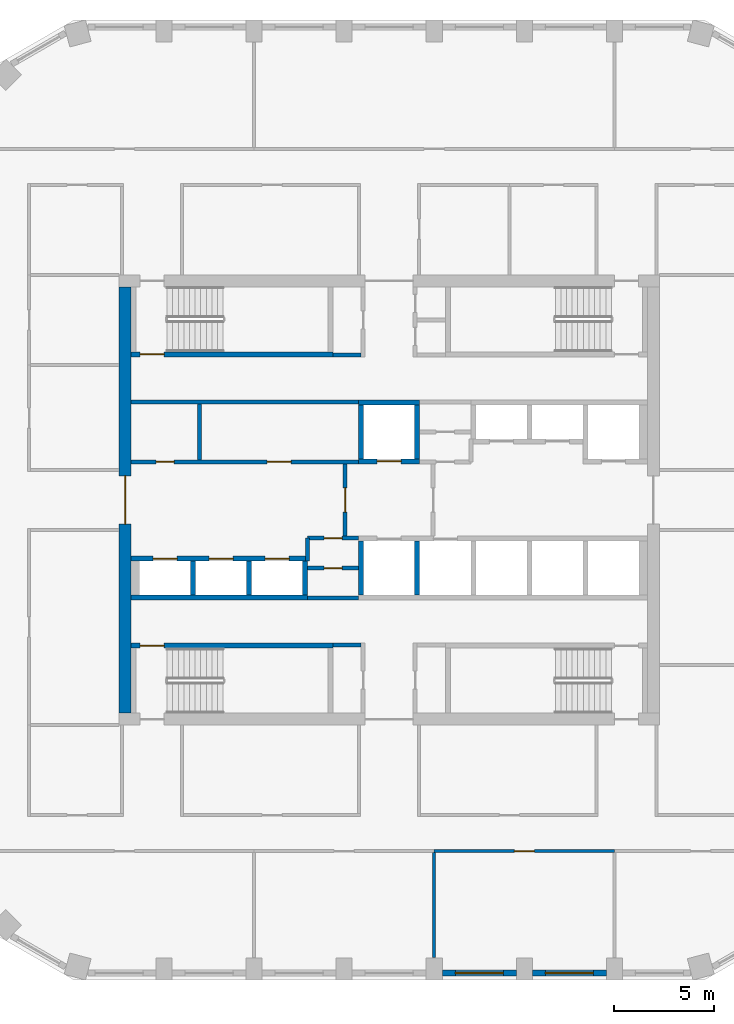
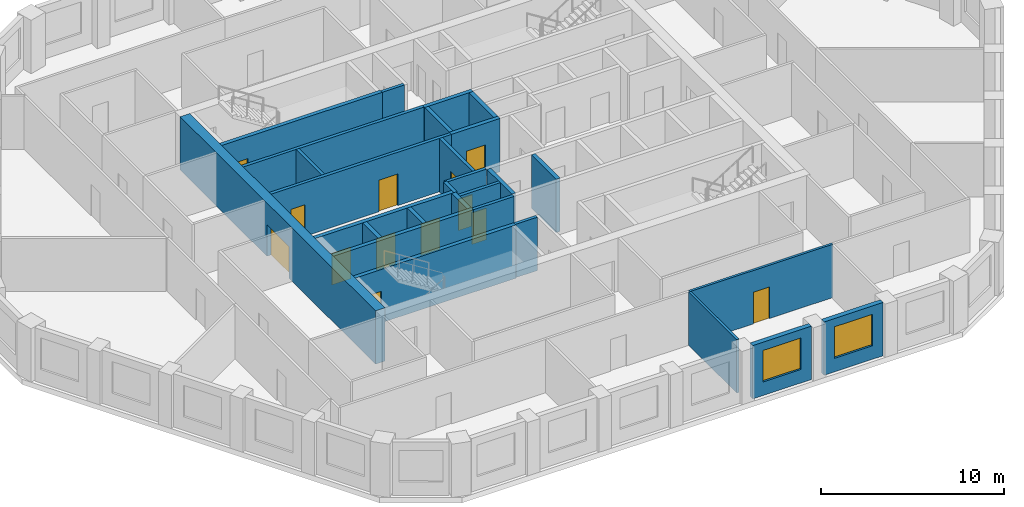
# One storey, part 3 of 9: 28 walls, 13 doors, 2 windows, 15 openings.
"""IFC4 building model written with IfcOpenShell, lengths in metres."""

from ifc_helpers import new_model, si_unit, direction, frame, frame_2d, origin, place, context, subcontext, project, spatial, polyline, rectangle, outline, extrude, material, layer, layer_set, type_object, element, fill, save


model = new_model("IFC4")

# Units and contexts
model_context = context("Model", 3, precision=1e-05, world=origin(), true_north=direction((0.0, 1.0)))
body_context = subcontext(model_context, "Body", "Model", "MODEL_VIEW")
ifc_project = project(units=[si_unit("LENGTHUNIT", "METRE"), si_unit("AREAUNIT", "SQUARE_METRE"), si_unit("VOLUMEUNIT", "CUBIC_METRE"), si_unit("PLANEANGLEUNIT", "RADIAN"), si_unit("MASSUNIT", "GRAM", prefix="KILO")], contexts=[model_context])

# Site, building, storey
site_placement = place(None, origin())
site = spatial("IfcSite", under=ifc_project, at=site_placement, CompositionType="ELEMENT")
building_placement = place(site_placement, origin())
building = spatial("IfcBuilding", under=site, at=building_placement, Name="Dhurran Vertical Campus", CompositionType="ELEMENT")
storey_placement = place(building_placement, frame((0.0, 0.0, 195.60009765625)))
storey = spatial("IfcBuildingStorey", under=building, at=storey_placement, Name="L48", CompositionType="ELEMENT", Elevation=195.60009765625)

# Wall, opening, window
ifc_material_1 = material(Name="Precast concrete C50/60", Category="concrete")
ifc_layer_1 = layer(ifc_material_1, 0.300048828125)
ifc_layer_set_1 = layer_set([ifc_layer_1], Name="Precast concrete C50/60")
wall_type_1 = type_object("IfcWallType", Name="Precast spandrel wall 300", PredefinedType="SOLIDWALL", material=ifc_layer_set_1)
wall_1_placement = place(storey_placement, frame((2.650390625, -23.635498046875, 0.0), z_axis=(0.0, 0.0, 1.0), x_axis=(1.0, 0.0, 0.0)))
wall_1 = element("IfcWall", 1, at=wall_1_placement, inside=storey, type_object=wall_type_1, Name="EW1 L48.04", PredefinedType="SOLIDWALL", context=body_context, shape_type="SweptSolid", body=[
    extrude(rectangle(XDim=3.69921875, YDim=0.300048828125, at=frame_2d((1.849609375, 0.0))), origin(), (0.0, 0.0, 1.0), 3.5498046875),
])
opening_1_placement = place(wall_1_placement, frame((0.6494140625, 0.0, 0.89990234375)))
opening_1 = element("IfcOpeningElement", 2, at=opening_1_placement, cuts=wall_1, Name="Opening WT1", PredefinedType="OPENING", context=body_context, shape_type="SweptSolid", body=[
    extrude(rectangle(XDim=2.39990234375, YDim=2.10009765625, at=frame_2d((1.199951171875, 1.050048828125))), frame((0.0, 0.159912109375, 0.0), z_axis=(0.0, -1.0, 0.0), x_axis=(1.0, 0.0, 0.0)), (0.0, 0.0, 1.0), 0.320068359375),
])
ifc_material_2 = material(Name="Aluminium frame with solar-control glass", Category="aluminium")
window_type = type_object("IfcWindowType", Name="Punched window 2400 x 2100", PartitioningType="SINGLE_PANEL", PredefinedType="WINDOW", material=ifc_material_2)
window_1_placement = place(opening_1_placement, origin())
window_1 = element("IfcWindow", 3, at=window_1_placement, inside=storey, type_object=window_type, Name="WT1 L48.04", OverallHeight=2.10009765625, OverallWidth=2.39990234375, PartitioningType="SINGLE_PANEL", PredefinedType="WINDOW", context=body_context, shape_type="SweptSolid", body=[
    extrude(rectangle(XDim=2.39990234375, YDim=2.10009765625, at=frame_2d((1.199951171875, 1.050048828125))), frame((0.0, 0.030029296875, 0.0), z_axis=(0.0, -1.0, 0.0), x_axis=(1.0, 0.0, 0.0)), (0.0, 0.0, 1.0), 0.06005859375),
])
fill(opening_1, window_1)

wall_2_placement = place(storey_placement, frame((7.150390625, -23.635498046875, 0.0), z_axis=(0.0, 0.0, 1.0), x_axis=(1.0, 0.0, 0.0)))
wall_2 = element("IfcWall", 4, at=wall_2_placement, inside=storey, type_object=wall_type_1, Name="EW1 L48.05", PredefinedType="SOLIDWALL", context=body_context, shape_type="SweptSolid", body=[
    extrude(rectangle(XDim=3.69921875, YDim=0.300048828125, at=frame_2d((1.849609375, 0.0))), origin(), (0.0, 0.0, 1.0), 3.5498046875),
])
opening_2_placement = place(wall_2_placement, frame((0.6494140625, 0.0, 0.89990234375)))
opening_2 = element("IfcOpeningElement", 5, at=opening_2_placement, cuts=wall_2, Name="Opening WT1", PredefinedType="OPENING", context=body_context, shape_type="SweptSolid", body=[
    extrude(rectangle(XDim=2.39990234375, YDim=2.10009765625, at=frame_2d((1.199951171875, 1.050048828125))), frame((0.0, 0.159912109375, 0.0), z_axis=(0.0, -1.0, 0.0), x_axis=(1.0, 0.0, 0.0)), (0.0, 0.0, 1.0), 0.320068359375),
])
window_2_placement = place(opening_2_placement, origin())
window_2 = element("IfcWindow", 6, at=window_2_placement, inside=storey, type_object=window_type, Name="WT1 L48.05", OverallHeight=2.10009765625, OverallWidth=2.39990234375, PartitioningType="SINGLE_PANEL", PredefinedType="WINDOW", context=body_context, shape_type="SweptSolid", body=[
    extrude(rectangle(XDim=2.39990234375, YDim=2.10009765625, at=frame_2d((1.199951171875, 1.050048828125))), frame((0.0, 0.030029296875, 0.0), z_axis=(0.0, -1.0, 0.0), x_axis=(1.0, 0.0, 0.0)), (0.0, 0.0, 1.0), 0.06005859375),
])
fill(opening_2, window_2)

# Wall, opening, door
ifc_material_3 = material(Name="Concrete C50/60", Category="concrete")
ifc_layer_2 = layer(ifc_material_3, 0.60009765625)
ifc_layer_set_2 = layer_set([ifc_layer_2], Name="Concrete C50/60")
wall_type_2 = type_object("IfcWallType", Name="co-CORE-WALL-C2-600", PredefinedType="SHEAR", material=ifc_layer_set_2)
wall_3_placement = place(storey_placement, frame((-13.199951171875, -10.64990234375, 0.0), z_axis=(0.0, 0.0, 1.0), x_axis=(0.0, 1.0, 0.0)))
wall_3 = element("IfcWall", 7, at=wall_3_placement, inside=storey, type_object=wall_type_2, Name="Core wall W L48", PredefinedType="SHEAR", context=body_context, shape_type="SweptSolid", body=[
    extrude(rectangle(XDim=21.2998046875, YDim=0.60009765625, at=frame_2d((10.64990234375, 0.0))), origin(), (0.0, 0.0, 1.0), 3.5498046875),
])
opening_3_placement = place(wall_3_placement, frame((9.449951171875, 0.0, 0.0)))
opening_3 = element("IfcOpeningElement", 8, at=opening_3_placement, cuts=wall_3, Name="Opening CL1", PredefinedType="OPENING", context=body_context, shape_type="SweptSolid", body=[
    extrude(rectangle(XDim=2.39990234375, YDim=2.10009765625, at=frame_2d((1.199951171875, 1.050048828125))), frame((0.0, 0.31005859375, 0.0), z_axis=(0.0, -1.0, 0.0), x_axis=(1.0, 0.0, 0.0)), (0.0, 0.0, 1.0), 0.6201171875),
])
ifc_material_4 = material(Name="Fire-rated glazed door set")
door_type_1 = type_object("IfcDoorType", Name="co-D-LOBBY 2400x2100", OperationType="DOUBLE_DOOR_DOUBLE_SWING", PredefinedType="DOOR", material=ifc_material_4)
door_1_placement = place(opening_3_placement, origin())
door_1 = element("IfcDoor", 9, at=door_1_placement, inside=storey, type_object=door_type_1, Name="Lift lobby door W L48", OperationType="DOUBLE_DOOR_DOUBLE_SWING", OverallHeight=2.10009765625, OverallWidth=2.39990234375, PredefinedType="DOOR", context=body_context, shape_type="SweptSolid", body=[
    extrude(rectangle(XDim=2.39990234375, YDim=2.10009765625, at=frame_2d((1.199951171875, 1.050048828125))), frame((0.0, 0.02490234375, 0.0), z_axis=(0.0, -1.0, 0.0), x_axis=(1.0, 0.0, 0.0)), (0.0, 0.0, 1.0), 0.050048828125),
])
fill(opening_3, door_1)

ifc_material_5 = material(Name="Fire-rated masonry blockwork", Category="masonry")
ifc_layer_3 = layer(ifc_material_5, 0.199951171875)
ifc_layer_set_3 = layer_set([ifc_layer_3], Name="Fire-rated masonry blockwork")
wall_type_3 = type_object("IfcWallType", Name="co-FIRE-PARTITION-200", PredefinedType="PARTITIONING", material=ifc_layer_set_3)
wall_4_placement = place(storey_placement, frame((-2.199951171875, -1.800048828125, 0.0), z_axis=(0.0, 0.0, 1.0), x_axis=(0.0, 1.0, 0.0)))
wall_4 = element("IfcWall", 10, at=wall_4_placement, inside=storey, type_object=wall_type_3, Name="Firefighting lobby wall W L48", PredefinedType="PARTITIONING", context=body_context, shape_type="SweptSolid", body=[
    extrude(rectangle(XDim=3.60009765625, YDim=0.199951171875, at=frame_2d((1.800048828125, 0.0))), origin(), (0.0, 0.0, 1.0), 3.5498046875),
])
opening_4_placement = place(wall_4_placement, frame((1.199951171875, 0.0, 0.0)))
opening_4 = element("IfcOpeningElement", 11, at=opening_4_placement, cuts=wall_4, Name="Opening FL1", PredefinedType="OPENING", context=body_context, shape_type="SweptSolid", body=[
    extrude(rectangle(XDim=1.199951171875, YDim=2.10009765625, at=frame_2d((0.60009765625, 1.050048828125))), frame((0.0, 0.10986328125, 0.0), z_axis=(0.0, -1.0, 0.0), x_axis=(1.0, 0.0, 0.0)), (0.0, 0.0, 1.0), 0.219970703125),
])
ifc_material_6 = material(Name="Fire-rated steel door set", Category="steel")
door_type_2 = type_object("IfcDoorType", Name="co-D-FFLOBBY 1200x2100", OperationType="SINGLE_SWING_LEFT", PredefinedType="DOOR", material=ifc_material_6)
door_2_placement = place(opening_4_placement, origin())
door_2 = element("IfcDoor", 12, at=door_2_placement, inside=storey, type_object=door_type_2, Name="Firefighting lobby door W L48", OperationType="SINGLE_SWING_LEFT", OverallHeight=2.10009765625, OverallWidth=1.199951171875, PredefinedType="DOOR", context=body_context, shape_type="SweptSolid", body=[
    extrude(rectangle(XDim=1.199951171875, YDim=2.10009765625, at=frame_2d((0.60009765625, 1.050048828125))), frame((0.0, 0.02490234375, 0.0), z_axis=(0.0, -1.0, 0.0), x_axis=(1.0, 0.0, 0.0)), (0.0, 0.0, 1.0), 0.050048828125),
])
fill(opening_4, door_2)

# Walls
for number, where, z_axis, x_axis, name in (
    (13, (-2.800048828125, 7.25, 0.0), (0.0, 0.0, 1.0), (1.0, 0.0, 0.0), "Core partition sl-NW-S L48"),
    (14, (-2.800048828125, -7.25, 0.0), (0.0, 0.0, 1.0), (1.0, 0.0, 0.0), "Core partition sl-SW-S L48"),
):
    element("IfcWall", number, at=place(storey_placement, frame(where, z_axis=z_axis, x_axis=x_axis)), inside=storey, type_object=wall_type_3, Name=name, PredefinedType="PARTITIONING", context=body_context, shape_type="SweptSolid", body=[
        extrude(rectangle(XDim=1.400146484375, YDim=0.199951171875, at=frame_2d((0.7001953125, 0.0))), origin(), (0.0, 0.0, 1.0), 3.5498046875),
    ])
wall_5_placement = place(storey_placement, frame((-9.487548828125, 2.0, 0.0), z_axis=(0.0, 0.0, 1.0), x_axis=(0.0, 1.0, 0.0)))
element("IfcWall", 15, at=wall_5_placement, inside=storey, type_object=wall_type_3, Name="Core partition fr-N0-cut0 L48", PredefinedType="PARTITIONING", context=body_context, shape_type="SweptSolid", body=[
    extrude(rectangle(XDim=2.800048828125, YDim=0.199951171875, at=frame_2d((1.39990234375, 0.0))), origin(), (0.0, 0.0, 1.0), 3.5498046875),
])

# Wall, openings, doors
wall_6_placement = place(storey_placement, frame((-12.89990234375, 1.89990234375, 0.0), z_axis=(0.0, 0.0, 1.0), x_axis=(1.0, 0.0, 0.0)))
wall_6 = element("IfcWall", 16, at=wall_6_placement, inside=storey, type_object=wall_type_3, Name="Core partition fr-N0-f L48", PredefinedType="PARTITIONING", context=body_context, shape_type="SweptSolid", body=[
    extrude(rectangle(XDim=11.375, YDim=0.199951171875, at=frame_2d((5.6875, 0.0))), origin(), (0.0, 0.0, 1.0), 3.5498046875),
])
opening_5_placement = place(wall_6_placement, frame((1.25634765625, 0.0, 0.0)))
opening_5 = element("IfcOpeningElement", 17, at=opening_5_placement, cuts=wall_6, Name="Opening T14-C6", PredefinedType="OPENING", context=body_context, shape_type="SweptSolid", body=[
    extrude(rectangle(XDim=0.89990234375, YDim=2.10009765625, at=frame_2d((0.449951171875, 1.050048828125))), frame((0.0, 0.10986328125, 0.0), z_axis=(0.0, -1.0, 0.0), x_axis=(1.0, 0.0, 0.0)), (0.0, 0.0, 1.0), 0.219970703125),
])
opening_6_placement = place(wall_6_placement, frame((6.793701171875, 0.0, 0.0)))
opening_6 = element("IfcOpeningElement", 18, at=opening_6_placement, cuts=wall_6, Name="Opening T14-C7", PredefinedType="OPENING", context=body_context, shape_type="SweptSolid", body=[
    extrude(rectangle(XDim=1.199951171875, YDim=2.10009765625, at=frame_2d((0.60009765625, 1.050048828125))), frame((0.0, 0.10986328125, 0.0), z_axis=(0.0, -1.0, 0.0), x_axis=(1.0, 0.0, 0.0)), (0.0, 0.0, 1.0), 0.219970703125),
])
ifc_material_7 = material(Name="Fire-rated timber door set", Category="wood")
door_type_3 = type_object("IfcDoorType", Name="co-D-ROOM 900x2100", OperationType="SINGLE_SWING_LEFT", PredefinedType="DOOR", material=ifc_material_7)
door_3_placement = place(opening_5_placement, origin())
door_3 = element("IfcDoor", 19, at=door_3_placement, inside=storey, type_object=door_type_3, Name="Housekeeping store door L48", OperationType="SINGLE_SWING_LEFT", OverallHeight=2.10009765625, OverallWidth=0.89990234375, PredefinedType="DOOR", context=body_context, shape_type="SweptSolid", body=[
    extrude(rectangle(XDim=0.89990234375, YDim=2.10009765625, at=frame_2d((0.449951171875, 1.050048828125))), frame((0.0, 0.02490234375, 0.0), z_axis=(0.0, -1.0, 0.0), x_axis=(1.0, 0.0, 0.0)), (0.0, 0.0, 1.0), 0.050048828125),
])
fill(opening_5, door_3)
ifc_material_8 = material(Name="Fire-rated steel door set", Category="steel")
door_type_4 = type_object("IfcDoorType", Name="co-D-ROOM-PASSAGE 1200x2100", OperationType="SINGLE_SWING_RIGHT", PredefinedType="DOOR", material=ifc_material_8)
door_4_placement = place(opening_6_placement, origin())
door_4 = element("IfcDoor", 20, at=door_4_placement, inside=storey, type_object=door_type_4, Name="Store door L48", OperationType="SINGLE_SWING_RIGHT", OverallHeight=2.10009765625, OverallWidth=1.199951171875, PredefinedType="DOOR", context=body_context, shape_type="SweptSolid", body=[
    extrude(rectangle(XDim=1.199951171875, YDim=2.10009765625, at=frame_2d((0.60009765625, 1.050048828125))), frame((0.0, 0.02490234375, 0.0), z_axis=(0.0, -1.0, 0.0), x_axis=(1.0, 0.0, 0.0)), (0.0, 0.0, 1.0), 0.050048828125),
])
fill(opening_6, door_4)

# Wall
wall_7_placement = place(storey_placement, frame((-12.89990234375, 4.89990234375, 0.0), z_axis=(0.0, 0.0, 1.0), x_axis=(1.0, 0.0, 0.0)))
element("IfcWall", 21, at=wall_7_placement, inside=storey, type_object=wall_type_3, Name="Core partition fr-N0-b L48", PredefinedType="PARTITIONING", context=body_context, shape_type="SweptSolid", body=[
    extrude(rectangle(XDim=11.375, YDim=0.199951171875, at=frame_2d((5.6875, 0.0))), origin(), (0.0, 0.0, 1.0), 3.5498046875),
])

# Wall, opening, door
wall_8_placement = place(storey_placement, frame((-4.074951171875, -3.39990234375, 0.0), z_axis=(0.0, 0.0, 1.0), x_axis=(1.0, 0.0, 0.0)))
wall_8 = element("IfcWall", 22, at=wall_8_placement, inside=storey, type_object=wall_type_3, Name="Core partition fr-S0-c L48", PredefinedType="PARTITIONING", context=body_context, shape_type="SweptSolid", body=[
    extrude(rectangle(XDim=2.550048828125, YDim=0.199951171875, at=frame_2d((1.27490234375, 0.0))), origin(), (0.0, 0.0, 1.0), 3.5498046875),
])
opening_7_placement = place(wall_8_placement, frame((0.824951171875, 0.0, 0.0)))
opening_7 = element("IfcOpeningElement", 23, at=opening_7_placement, cuts=wall_8, Name="Opening T14-C10", PredefinedType="OPENING", context=body_context, shape_type="SweptSolid", body=[
    extrude(rectangle(XDim=0.89990234375, YDim=2.10009765625, at=frame_2d((0.449951171875, 1.050048828125))), frame((0.0, 0.10986328125, 0.0), z_axis=(0.0, -1.0, 0.0), x_axis=(1.0, 0.0, 0.0)), (0.0, 0.0, 1.0), 0.219970703125),
])
door_5_placement = place(opening_7_placement, origin())
door_5 = element("IfcDoor", 24, at=door_5_placement, inside=storey, type_object=door_type_3, Name="Store door L48", OperationType="SINGLE_SWING_LEFT", OverallHeight=2.10009765625, OverallWidth=0.89990234375, PredefinedType="DOOR", context=body_context, shape_type="SweptSolid", body=[
    extrude(rectangle(XDim=0.89990234375, YDim=2.10009765625, at=frame_2d((0.449951171875, 1.050048828125))), frame((0.0, 0.02490234375, 0.0), z_axis=(0.0, -1.0, 0.0), x_axis=(1.0, 0.0, 0.0)), (0.0, 0.0, 1.0), 0.050048828125),
])
fill(opening_7, door_5)

wall_9_placement = place(storey_placement, frame((-4.074951171875, -1.89990234375, 0.0), z_axis=(0.0, 0.0, 1.0), x_axis=(1.0, 0.0, 0.0)))
wall_9 = element("IfcWall", 25, at=wall_9_placement, inside=storey, type_object=wall_type_3, Name="Core partition fr-S0-f L48", PredefinedType="PARTITIONING", context=body_context, shape_type="SweptSolid", body=[
    extrude(rectangle(XDim=2.550048828125, YDim=0.199951171875, at=frame_2d((1.27490234375, 0.0))), origin(), (0.0, 0.0, 1.0), 3.5498046875),
])
opening_8_placement = place(wall_9_placement, frame((0.824951171875, 0.0, 0.0)))
opening_8 = element("IfcOpeningElement", 26, at=opening_8_placement, cuts=wall_9, Name="Opening T14-C11", PredefinedType="OPENING", context=body_context, shape_type="SweptSolid", body=[
    extrude(rectangle(XDim=0.89990234375, YDim=2.10009765625, at=frame_2d((0.449951171875, 1.050048828125))), frame((0.0, 0.10986328125, 0.0), z_axis=(0.0, -1.0, 0.0), x_axis=(1.0, 0.0, 0.0)), (0.0, 0.0, 1.0), 0.219970703125),
])
door_6_placement = place(opening_8_placement, origin())
door_6 = element("IfcDoor", 27, at=door_6_placement, inside=storey, type_object=door_type_3, Name="Pantry door L48", OperationType="SINGLE_SWING_LEFT", OverallHeight=2.10009765625, OverallWidth=0.89990234375, PredefinedType="DOOR", context=body_context, shape_type="SweptSolid", body=[
    extrude(rectangle(XDim=0.89990234375, YDim=2.10009765625, at=frame_2d((0.449951171875, 1.050048828125))), frame((0.0, 0.02490234375, 0.0), z_axis=(0.0, -1.0, 0.0), x_axis=(1.0, 0.0, 0.0)), (0.0, 0.0, 1.0), 0.050048828125),
])
fill(opening_8, door_6)

# Walls
wall_10_placement = place(storey_placement, frame((-4.074951171875, -4.89990234375, 0.0), z_axis=(0.0, 0.0, 1.0), x_axis=(1.0, 0.0, 0.0)))
element("IfcWall", 28, at=wall_10_placement, inside=storey, type_object=wall_type_3, Name="Core partition fr-S0-b L48", PredefinedType="PARTITIONING", context=body_context, shape_type="SweptSolid", body=[
    extrude(rectangle(XDim=2.550048828125, YDim=0.199951171875, at=frame_2d((1.27490234375, 0.0))), origin(), (0.0, 0.0, 1.0), 3.5498046875),
])
wall_11_placement = place(storey_placement, frame((-4.074951171875, -1.89990234375, 0.0), z_axis=(0.0, 0.0, 1.0), x_axis=(0.0, -1.0, 0.0)))
element("IfcWall", 29, at=wall_11_placement, inside=storey, type_object=wall_type_3, Name="Core partition fr-S0-n0 L48", PredefinedType="PARTITIONING", context=body_context, shape_type="SweptSolid", body=[
    extrude(rectangle(XDim=1.150146484375, YDim=0.199951171875, at=frame_2d((0.5751953125, 0.0))), origin(), (0.0, 0.0, 1.0), 3.5498046875),
])

# Wall, opening, door
ifc_material_9 = material(Name="Concrete C50/60", Category="concrete")
ifc_layer_4 = layer(ifc_material_9, 0.25)
ifc_layer_set_4 = layer_set([ifc_layer_4], Name="Concrete C50/60")
wall_type_4 = type_object("IfcWallType", Name="co-SHAFT-FRONT-250", PredefinedType="SHEAR", material=ifc_layer_set_4)
wall_12_placement = place(storey_placement, frame((-1.52490234375, 1.925048828125, 0.0), z_axis=(0.0, 0.0, 1.0), x_axis=(1.0, 0.0, 0.0)))
wall_12 = element("IfcWall", 30, at=wall_12_placement, inside=storey, type_object=wall_type_4, Name="Lift landing wall N L48", PredefinedType="SHEAR", context=body_context, shape_type="SweptSolid", body=[
    extrude(rectangle(XDim=3.0498046875, YDim=0.25, at=frame_2d((1.52490234375, 0.0))), origin(), (0.0, 0.0, 1.0), 3.5498046875),
])
opening_9_placement = place(wall_12_placement, frame((0.925048828125, 0.0, 0.0)))
opening_9 = element("IfcOpeningElement", 31, at=opening_9_placement, cuts=wall_12, Name="Opening LD", PredefinedType="OPENING", context=body_context, shape_type="SweptSolid", body=[
    extrude(rectangle(XDim=1.199951171875, YDim=2.10009765625, at=frame_2d((0.60009765625, 1.050048828125))), frame((0.0, 0.135009765625, 0.0), z_axis=(0.0, -1.0, 0.0), x_axis=(1.0, 0.0, 0.0)), (0.0, 0.0, 1.0), 0.27001953125),
])
ifc_material_10 = material(Name="Stainless steel landing door", Category="steel")
door_type_5 = type_object("IfcDoorType", Name="co-D-LANDING 1200x2100", OperationType="DOUBLE_DOOR_SLIDING", PredefinedType="DOOR", material=ifc_material_10)
door_7_placement = place(opening_9_placement, origin())
door_7 = element("IfcDoor", 32, at=door_7_placement, inside=storey, type_object=door_type_5, Name="Landing door FF1 L48", OperationType="DOUBLE_DOOR_SLIDING", OverallHeight=2.10009765625, OverallWidth=1.199951171875, PredefinedType="DOOR", context=body_context, shape_type="SweptSolid", body=[
    extrude(rectangle(XDim=1.199951171875, YDim=2.10009765625, at=frame_2d((0.60009765625, 1.050048828125))), frame((0.0, 0.02490234375, 0.0), z_axis=(0.0, -1.0, 0.0), x_axis=(1.0, 0.0, 0.0)), (0.0, 0.0, 1.0), 0.050048828125),
])
fill(opening_9, door_7)

# Wall, openings, doors
wall_13_placement = place(storey_placement, frame((-12.89990234375, -2.925048828125, 0.0), z_axis=(0.0, 0.0, 1.0), x_axis=(1.0, 0.0, 0.0)))
wall_13 = element("IfcWall", 33, at=wall_13_placement, inside=storey, type_object=wall_type_4, Name="Lift landing wall S L48", PredefinedType="SHEAR", context=body_context, shape_type="SweptSolid", body=[
    extrude(rectangle(XDim=8.824951171875, YDim=0.25, at=frame_2d((4.41259765625, 0.0))), origin(), (0.0, 0.0, 1.0), 3.5498046875),
])
opening_10_placement = place(wall_13_placement, frame((1.10009765625, 0.0, 0.0)))
opening_10 = element("IfcOpeningElement", 34, at=opening_10_placement, cuts=wall_13, Name="Opening LD", PredefinedType="OPENING", context=body_context, shape_type="SweptSolid", body=[
    extrude(rectangle(XDim=1.199951171875, YDim=2.10009765625, at=frame_2d((0.60009765625, 1.050048828125))), frame((0.0, 0.135009765625, 0.0), z_axis=(0.0, -1.0, 0.0), x_axis=(1.0, 0.0, 0.0)), (0.0, 0.0, 1.0), 0.27001953125),
])
opening_11_placement = place(wall_13_placement, frame((3.89990234375, 0.0, 0.0)))
opening_11 = element("IfcOpeningElement", 35, at=opening_11_placement, cuts=wall_13, Name="Opening LD", PredefinedType="OPENING", context=body_context, shape_type="SweptSolid", body=[
    extrude(rectangle(XDim=1.199951171875, YDim=2.10009765625, at=frame_2d((0.60009765625, 1.050048828125))), frame((0.0, 0.135009765625, 0.0), z_axis=(0.0, -1.0, 0.0), x_axis=(1.0, 0.0, 0.0)), (0.0, 0.0, 1.0), 0.27001953125),
])
opening_12_placement = place(wall_13_placement, frame((6.699951171875, 0.0, 0.0)))
opening_12 = element("IfcOpeningElement", 36, at=opening_12_placement, cuts=wall_13, Name="Opening LD", PredefinedType="OPENING", context=body_context, shape_type="SweptSolid", body=[
    extrude(rectangle(XDim=1.199951171875, YDim=2.10009765625, at=frame_2d((0.60009765625, 1.050048828125))), frame((0.0, 0.135009765625, 0.0), z_axis=(0.0, -1.0, 0.0), x_axis=(1.0, 0.0, 0.0)), (0.0, 0.0, 1.0), 0.27001953125),
])
door_8_placement = place(opening_10_placement, origin())
door_8 = element("IfcDoor", 37, at=door_8_placement, inside=storey, type_object=door_type_5, Name="Landing door MR3 L48", OperationType="DOUBLE_DOOR_SLIDING", OverallHeight=2.10009765625, OverallWidth=1.199951171875, PredefinedType="DOOR", context=body_context, shape_type="SweptSolid", body=[
    extrude(rectangle(XDim=1.199951171875, YDim=2.10009765625, at=frame_2d((0.60009765625, 1.050048828125))), frame((0.0, 0.02490234375, 0.0), z_axis=(0.0, -1.0, 0.0), x_axis=(1.0, 0.0, 0.0)), (0.0, 0.0, 1.0), 0.050048828125),
])
fill(opening_10, door_8)
door_9_placement = place(opening_11_placement, origin())
door_9 = element("IfcDoor", 38, at=door_9_placement, inside=storey, type_object=door_type_5, Name="Landing door MR4 L48", OperationType="DOUBLE_DOOR_SLIDING", OverallHeight=2.10009765625, OverallWidth=1.199951171875, PredefinedType="DOOR", context=body_context, shape_type="SweptSolid", body=[
    extrude(rectangle(XDim=1.199951171875, YDim=2.10009765625, at=frame_2d((0.60009765625, 1.050048828125))), frame((0.0, 0.02490234375, 0.0), z_axis=(0.0, -1.0, 0.0), x_axis=(1.0, 0.0, 0.0)), (0.0, 0.0, 1.0), 0.050048828125),
])
fill(opening_11, door_9)
door_10_placement = place(opening_12_placement, origin())
door_10 = element("IfcDoor", 39, at=door_10_placement, inside=storey, type_object=door_type_5, Name="Landing door MR5 L48", OperationType="DOUBLE_DOOR_SLIDING", OverallHeight=2.10009765625, OverallWidth=1.199951171875, PredefinedType="DOOR", context=body_context, shape_type="SweptSolid", body=[
    extrude(rectangle(XDim=1.199951171875, YDim=2.10009765625, at=frame_2d((0.60009765625, 1.050048828125))), frame((0.0, 0.02490234375, 0.0), z_axis=(0.0, -1.0, 0.0), x_axis=(1.0, 0.0, 0.0)), (0.0, 0.0, 1.0), 0.050048828125),
])
fill(opening_12, door_10)

# Walls
ifc_material_11 = material(Name="Concrete C50/60", Category="concrete")
ifc_layer_5 = layer(ifc_material_11, 0.25)
ifc_layer_set_5 = layer_set([ifc_layer_5], Name="Concrete C50/60")
wall_type_5 = type_object("IfcWallType", Name="co-SHAFT-MASS-250", PredefinedType="SHEAR", material=ifc_layer_set_5)
wall_14_placement = place(storey_placement, origin())
element("IfcWall", 40, at=wall_14_placement, inside=storey, type_object=wall_type_5, Name="Lift shaft wall N L48 1", PredefinedType="SHEAR", context=body_context, shape_type="SweptSolid", body=[
    extrude(outline(polyline([(-1.52490234375, 4.75), (1.52490234375, 4.75), (1.52490234375, 5.0), (-1.52490234375, 5.0), (-1.52490234375, 4.75)])), origin(), (0.0, 0.0, 1.0), 3.5498046875),
])
wall_15_placement = place(storey_placement, origin())
element("IfcWall", 41, at=wall_15_placement, inside=storey, type_object=wall_type_5, Name="Lift shaft wall N L48 3", PredefinedType="SHEAR", context=body_context, shape_type="SweptSolid", body=[
    extrude(outline(polyline([(-1.52490234375, 2.050048828125), (-1.27490234375, 2.050048828125), (-1.27490234375, 4.75), (-1.52490234375, 4.75), (-1.52490234375, 2.050048828125)])), origin(), (0.0, 0.0, 1.0), 3.5498046875),
])
wall_16_placement = place(storey_placement, origin())
element("IfcWall", 42, at=wall_16_placement, inside=storey, type_object=wall_type_5, Name="Lift shaft wall N L48 4", PredefinedType="SHEAR", context=body_context, shape_type="SweptSolid", body=[
    extrude(outline(polyline([(1.27490234375, 2.050048828125), (1.52490234375, 2.050048828125), (1.52490234375, 4.75), (1.27490234375, 4.75), (1.27490234375, 2.050048828125)])), origin(), (0.0, 0.0, 1.0), 3.5498046875),
])
wall_17_placement = place(storey_placement, origin())
element("IfcWall", 43, at=wall_17_placement, inside=storey, type_object=wall_type_5, Name="Lift shaft wall S L48 1", PredefinedType="SHEAR", context=body_context, shape_type="SweptSolid", body=[
    extrude(outline(polyline([(-12.89990234375, -5.0), (-4.074951171875, -5.0), (-4.074951171875, -4.75), (-12.89990234375, -4.75), (-12.89990234375, -5.0)])), origin(), (0.0, 0.0, 1.0), 3.5498046875),
])
wall_18_placement = place(storey_placement, origin())
element("IfcWall", 44, at=wall_18_placement, inside=storey, type_object=wall_type_5, Name="Lift shaft wall S L48 4", PredefinedType="SHEAR", context=body_context, shape_type="SweptSolid", body=[
    extrude(outline(polyline([(-9.925048828125, -4.75), (-9.675048828125, -4.75), (-9.675048828125, -3.050048828125), (-9.925048828125, -3.050048828125), (-9.925048828125, -4.75)])), origin(), (0.0, 0.0, 1.0), 3.5498046875),
])
wall_19_placement = place(storey_placement, origin())
element("IfcWall", 45, at=wall_19_placement, inside=storey, type_object=wall_type_5, Name="Lift shaft wall S L48 5", PredefinedType="SHEAR", context=body_context, shape_type="SweptSolid", body=[
    extrude(outline(polyline([(-7.125, -4.75), (-6.875, -4.75), (-6.875, -3.050048828125), (-7.125, -3.050048828125), (-7.125, -4.75)])), origin(), (0.0, 0.0, 1.0), 3.5498046875),
])
wall_20_placement = place(storey_placement, origin())
element("IfcWall", 46, at=wall_20_placement, inside=storey, type_object=wall_type_5, Name="Lift shaft wall S L48 6", PredefinedType="SHEAR", context=body_context, shape_type="SweptSolid", body=[
    extrude(outline(polyline([(-4.324951171875, -4.75), (-4.074951171875, -4.75), (-4.074951171875, -3.050048828125), (-4.324951171875, -3.050048828125), (-4.324951171875, -4.75)])), origin(), (0.0, 0.0, 1.0), 3.5498046875),
])
wall_21_placement = place(storey_placement, origin())
element("IfcWall", 47, at=wall_21_placement, inside=storey, type_object=wall_type_5, Name="Lift shaft wall S L48 7", PredefinedType="SHEAR", context=body_context, shape_type="SweptSolid", body=[
    extrude(outline(polyline([(-1.52490234375, -4.75), (-1.27490234375, -4.75), (-1.27490234375, -2.050048828125), (-1.52490234375, -2.050048828125), (-1.52490234375, -4.75)])), origin(), (0.0, 0.0, 1.0), 3.5498046875),
])
wall_22_placement = place(storey_placement, origin())
element("IfcWall", 48, at=wall_22_placement, inside=storey, type_object=wall_type_5, Name="Lift shaft wall S L48 8", PredefinedType="SHEAR", context=body_context, shape_type="SweptSolid", body=[
    extrude(outline(polyline([(1.27490234375, -4.75), (1.52490234375, -4.75), (1.52490234375, -2.050048828125), (1.27490234375, -2.050048828125), (1.27490234375, -4.75)])), origin(), (0.0, 0.0, 1.0), 3.5498046875),
])

# Wall, opening, door
ifc_material_12 = material(Name="Concrete C40/50", Category="concrete")
ifc_layer_6 = layer(ifc_material_12, 0.25)
ifc_layer_set_6 = layer_set([ifc_layer_6], Name="Concrete C40/50")
wall_type_6 = type_object("IfcWallType", Name="co-STAIR-WALL-250", PredefinedType="SHEAR", material=ifc_layer_set_6)
wall_23_placement = place(storey_placement, frame((-12.89990234375, 7.27490234375, 0.0), z_axis=(0.0, 0.0, 1.0), x_axis=(1.0, 0.0, 0.0)))
wall_23 = element("IfcWall", 49, at=wall_23_placement, inside=storey, type_object=wall_type_6, Name="Stair ST1 enclosure wall L48", PredefinedType="SHEAR", context=body_context, shape_type="SweptSolid", body=[
    extrude(rectangle(XDim=10.099853515625, YDim=0.25, at=frame_2d((5.0498046875, 0.0))), origin(), (0.0, 0.0, 1.0), 3.5498046875),
])
opening_13_placement = place(wall_23_placement, frame((0.449951171875, 0.0, 0.0)))
opening_13 = element("IfcOpeningElement", 50, at=opening_13_placement, cuts=wall_23, Name="Opening SD1", PredefinedType="OPENING", context=body_context, shape_type="SweptSolid", body=[
    extrude(rectangle(XDim=1.199951171875, YDim=2.10009765625, at=frame_2d((0.60009765625, 1.050048828125))), frame((0.0, 0.135009765625, 0.0), z_axis=(0.0, -1.0, 0.0), x_axis=(1.0, 0.0, 0.0)), (0.0, 0.0, 1.0), 0.27001953125),
])
ifc_material_13 = material(Name="Fire-rated steel door set", Category="steel")
door_type_6 = type_object("IfcDoorType", Name="co-D-STAIR 1200x2100", OperationType="SINGLE_SWING_LEFT", PredefinedType="DOOR", material=ifc_material_13)
door_11_placement = place(opening_13_placement, origin())
door_11 = element("IfcDoor", 51, at=door_11_placement, inside=storey, type_object=door_type_6, Name="Stair ST1 door L48", OperationType="SINGLE_SWING_LEFT", OverallHeight=2.10009765625, OverallWidth=1.199951171875, PredefinedType="DOOR", context=body_context, shape_type="SweptSolid", body=[
    extrude(rectangle(XDim=1.199951171875, YDim=2.10009765625, at=frame_2d((0.60009765625, 1.050048828125))), frame((0.0, 0.02490234375, 0.0), z_axis=(0.0, -1.0, 0.0), x_axis=(1.0, 0.0, 0.0)), (0.0, 0.0, 1.0), 0.050048828125),
])
fill(opening_13, door_11)

wall_24_placement = place(storey_placement, frame((-12.89990234375, -7.27490234375, 0.0), z_axis=(0.0, 0.0, 1.0), x_axis=(1.0, 0.0, 0.0)))
wall_24 = element("IfcWall", 52, at=wall_24_placement, inside=storey, type_object=wall_type_6, Name="Stair ST3 enclosure wall L48", PredefinedType="SHEAR", context=body_context, shape_type="SweptSolid", body=[
    extrude(rectangle(XDim=10.099853515625, YDim=0.25, at=frame_2d((5.0498046875, 0.0))), origin(), (0.0, 0.0, 1.0), 3.5498046875),
])
opening_14_placement = place(wall_24_placement, frame((0.449951171875, 0.0, 0.0)))
opening_14 = element("IfcOpeningElement", 53, at=opening_14_placement, cuts=wall_24, Name="Opening SD3", PredefinedType="OPENING", context=body_context, shape_type="SweptSolid", body=[
    extrude(rectangle(XDim=1.199951171875, YDim=2.10009765625, at=frame_2d((0.60009765625, 1.050048828125))), frame((0.0, 0.135009765625, 0.0), z_axis=(0.0, -1.0, 0.0), x_axis=(1.0, 0.0, 0.0)), (0.0, 0.0, 1.0), 0.27001953125),
])
door_12_placement = place(opening_14_placement, origin())
door_12 = element("IfcDoor", 54, at=door_12_placement, inside=storey, type_object=door_type_6, Name="Stair ST3 door L48", OperationType="SINGLE_SWING_LEFT", OverallHeight=2.10009765625, OverallWidth=1.199951171875, PredefinedType="DOOR", context=body_context, shape_type="SweptSolid", body=[
    extrude(rectangle(XDim=1.199951171875, YDim=2.10009765625, at=frame_2d((0.60009765625, 1.050048828125))), frame((0.0, 0.02490234375, 0.0), z_axis=(0.0, -1.0, 0.0), x_axis=(1.0, 0.0, 0.0)), (0.0, 0.0, 1.0), 0.050048828125),
])
fill(opening_14, door_12)

ifc_material_14 = material(Name="Gypsum board corridor wall on steel studs", Category="steel")
ifc_layer_7 = layer(ifc_material_14, 0.14990234375)
ifc_layer_set_7 = layer_set([ifc_layer_7], Name="Gypsum board corridor wall on steel studs")
wall_type_7 = type_object("IfcWallType", Name="fl-CW-150 corridor wall", PredefinedType="PARTITIONING", material=ifc_layer_set_7)
wall_25_placement = place(storey_placement, frame((2.25, -17.550048828125, 0.0), z_axis=(0.0, 0.0, 1.0), x_axis=(1.0, 0.0, 0.0)))
wall_25 = element("IfcWall", 55, at=wall_25_placement, inside=storey, type_object=wall_type_7, Name="Partition 48-41", PredefinedType="PARTITIONING", context=body_context, shape_type="SweptSolid", body=[
    extrude(rectangle(XDim=9.0, YDim=0.14990234375, at=frame_2d((4.5, 0.0))), origin(), (0.0, 0.0, 1.0), 3.5498046875),
])
opening_15_placement = place(wall_25_placement, frame((4.0, 0.0, 0.0)))
opening_15 = element("IfcOpeningElement", 56, at=opening_15_placement, cuts=wall_25, Name="Opening T14.17", PredefinedType="OPENING", context=body_context, shape_type="SweptSolid", body=[
    extrude(rectangle(XDim=1.0, YDim=2.10009765625, at=frame_2d((0.5, 1.050048828125))), frame((0.0, 0.0849609375, 0.0), z_axis=(0.0, -1.0, 0.0), x_axis=(1.0, 0.0, 0.0)), (0.0, 0.0, 1.0), 0.169921875),
])
ifc_material_15 = material(Name="Solid-core timber door set, fire-rated", Category="wood")
door_type_7 = type_object("IfcDoorType", Name="fl-D-1000x2100", OperationType="SINGLE_SWING_LEFT", PredefinedType="DOOR", material=ifc_material_15)
door_13_placement = place(opening_15_placement, origin())
door_13 = element("IfcDoor", 57, at=door_13_placement, inside=storey, type_object=door_type_7, Name="Door 48.17", OperationType="SINGLE_SWING_RIGHT", OverallHeight=2.10009765625, OverallWidth=1.0, PredefinedType="DOOR", context=body_context, shape_type="SweptSolid", body=[
    extrude(rectangle(XDim=1.0, YDim=2.10009765625, at=frame_2d((0.5, 1.050048828125))), frame((0.0, 0.02490234375, 0.0), z_axis=(0.0, -1.0, 0.0), x_axis=(1.0, 0.0, 0.0)), (0.0, 0.0, 1.0), 0.050048828125),
])
fill(opening_15, door_13)

# Wall
ifc_material_16 = material(Name="Gypsum board partition on steel studs", Category="steel")
ifc_layer_8 = layer(ifc_material_16, 0.14990234375)
ifc_layer_set_8 = layer_set([ifc_layer_8], Name="Gypsum board partition on steel studs")
wall_type_8 = type_object("IfcWallType", Name="fl-PW-150 fixed partition", PredefinedType="PARTITIONING", material=ifc_layer_set_8)
wall_26_placement = place(storey_placement, frame((2.25, -17.625, 0.0), z_axis=(0.0, 0.0, 1.0), x_axis=(0.0, -1.0, 0.0)))
element("IfcWall", 58, at=wall_26_placement, inside=storey, type_object=wall_type_8, Name="Partition 48-40", PredefinedType="PARTITIONING", context=body_context, shape_type="SweptSolid", body=[
    extrude(rectangle(XDim=5.240478515625, YDim=0.14990234375, at=frame_2d((2.6201171875, 0.0))), origin(), (0.0, 0.0, 1.0), 3.5498046875),
])

save(model, "model.ifc")
